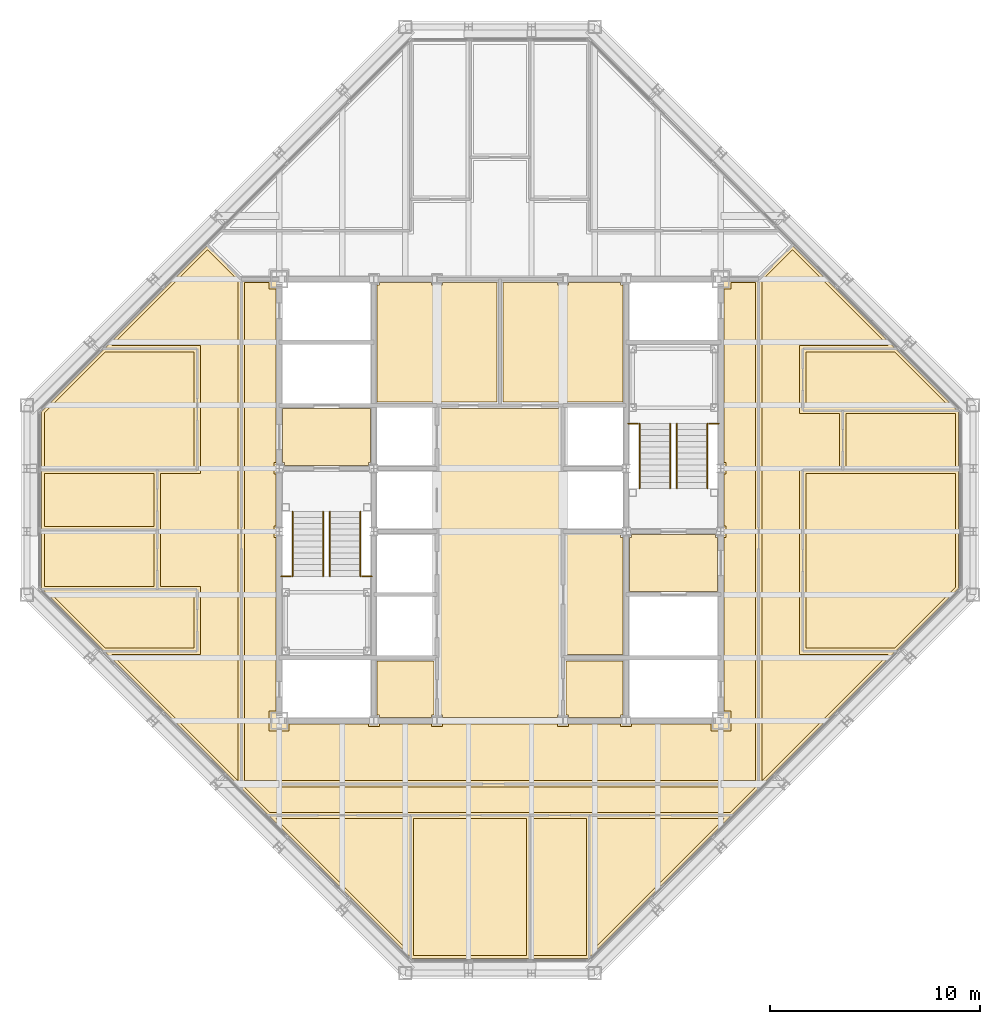
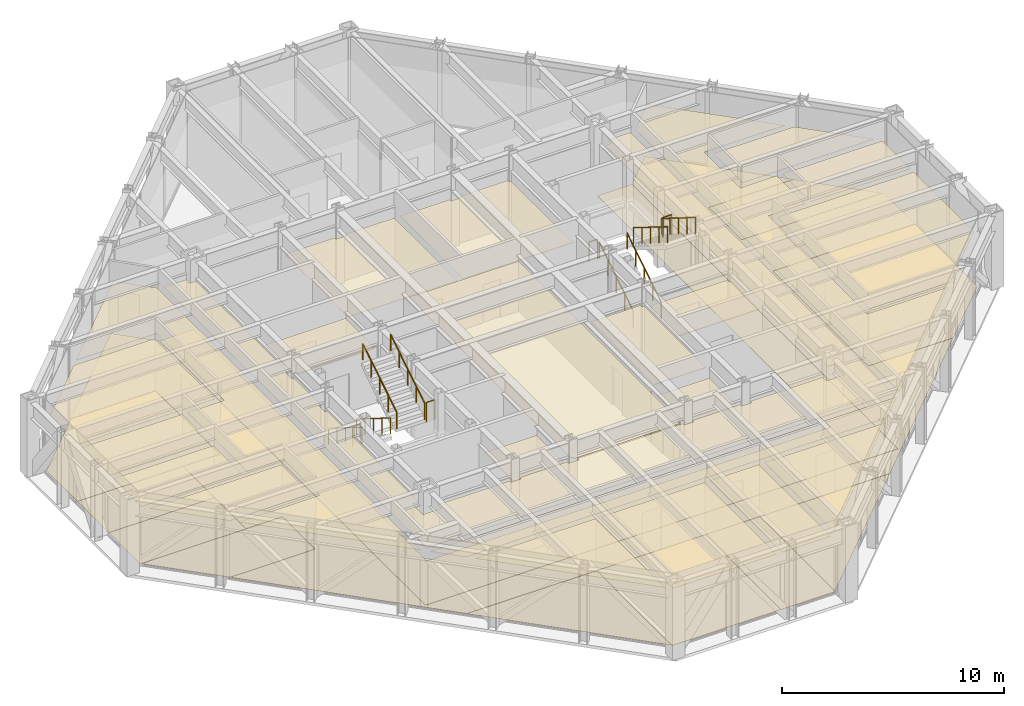
# One storey, part 14 of 15: 36 coverings, 12 railings.
"""IFC4 building model written with IfcOpenShell, lengths in metres."""

from ifc_helpers import new_model, si_unit, direction, frame, origin, origin_2d, place, context, subcontext, project, spatial, polyline, circle, outline, extrude, material, layer, layer_set, type_object, element, save


model = new_model("IFC4")

# Units and contexts
model_context = context("Model", 3, precision=1e-05, world=origin(), true_north=direction((0.0, 1.0)))
body_context = subcontext(model_context, "Body", "Model", "MODEL_VIEW")
ifc_project = project(units=[si_unit("LENGTHUNIT", "METRE"), si_unit("AREAUNIT", "SQUARE_METRE"), si_unit("VOLUMEUNIT", "CUBIC_METRE"), si_unit("PLANEANGLEUNIT", "RADIAN"), si_unit("MASSUNIT", "GRAM", prefix="KILO")], contexts=[model_context])

# Site, building, storey
site_placement = place(None, origin())
site = spatial("IfcSite", under=ifc_project, at=site_placement, CompositionType="ELEMENT")
building_placement = place(site_placement, origin())
building = spatial("IfcBuilding", under=site, at=building_placement, Name="Chuquiago Exchange Tower", CompositionType="ELEMENT")
storey_placement = place(building_placement, frame((0.0, 0.0, 287.39990234375)))
storey = spatial("IfcBuildingStorey", under=building, at=storey_placement, Name="L64", CompositionType="ELEMENT", Elevation=287.39990234375)

# Coverings
ifc_material_1 = material(Name="Mineral fibre tile, 600 x 600, on pale metal grid", Category="mineral fibre")
ifc_layer_1 = layer(ifc_material_1, 0.02001953125)
ifc_layer_set_1 = layer_set([ifc_layer_1], Name="CL1 suspended tile ceiling 20")
covering_type_1 = type_object("IfcCoveringType", Name="CL1 suspended tile ceiling 20", PredefinedType="CEILING", material=ifc_layer_set_1)
covering_1_placement = place(storey_placement, frame((0.0, 0.0, 3.0)))
element("IfcCovering", 1, at=covering_1_placement, inside=storey, type_object=covering_type_1, Name="Ceiling Training room", PredefinedType="CEILING", context=body_context, shape_type="SweptSolid", body=[
    extrude(outline(polyline([(18.098388671875, 7.35009765625), (18.098388671875, 1.103515625), (11.85205078125, 7.35009765625), (18.098388671875, 7.35009765625)])), origin(), (0.0, 0.0, 1.0), 0.02001953125),
])
covering_2_placement = place(storey_placement, frame((0.0, 0.0, 3.0)))
element("IfcCovering", 2, at=covering_2_placement, inside=storey, type_object=covering_type_1, Name="Ceiling Meeting room", PredefinedType="CEILING", context=body_context, shape_type="SweptSolid", body=[
    extrude(outline(polyline([(18.3984375, 7.35009765625), (23.76708984375, 7.35009765625), (23.76708984375, 0.85009765625), (18.3984375, 0.85009765625), (18.3984375, 7.35009765625)])), origin(), (0.0, 0.0, 1.0), 0.02001953125),
])
covering_3_placement = place(storey_placement, frame((0.0, 0.0, 3.0)))
element("IfcCovering", 3, at=covering_3_placement, inside=storey, type_object=covering_type_1, Name="Ceiling Meeting room", PredefinedType="CEILING", context=body_context, shape_type="SweptSolid", body=[
    extrude(outline(polyline([(24.067138671875, 0.85009765625), (24.067138671875, 7.35009765625), (26.6015625, 7.35009765625), (26.6015625, 0.85009765625), (24.067138671875, 0.85009765625)])), origin(), (0.0, 0.0, 1.0), 0.02001953125),
])
covering_4_placement = place(storey_placement, frame((0.0, 0.0, 3.0)))
element("IfcCovering", 4, at=covering_4_placement, inside=storey, type_object=covering_type_1, Name="Ceiling Office", PredefinedType="CEILING", context=body_context, shape_type="SweptSolid", body=[
    extrude(outline(polyline([(26.901611328125, 7.35009765625), (33.14794921875, 7.35009765625), (26.901611328125, 1.103515625), (26.901611328125, 7.35009765625)])), origin(), (0.0, 0.0, 1.0), 0.02001953125),
])
covering_5_placement = place(storey_placement, frame((0.0, 0.0, 3.0)))
element("IfcCovering", 5, at=covering_5_placement, inside=storey, type_object=covering_type_1, Name="Ceiling Meeting room", PredefinedType="CEILING", context=body_context, shape_type="SweptSolid", body=[
    extrude(outline(polyline([(41.255126953125, 15.45703125), (37.050048828125, 15.45703125), (37.050048828125, 23.76708984375), (44.14990234375, 23.76708984375), (44.14990234375, 18.35205078125), (41.255126953125, 15.45703125)])), origin(), (0.0, 0.0, 1.0), 0.02001953125),
])
covering_6_placement = place(storey_placement, frame((0.0, 0.0, 3.0)))
element("IfcCovering", 6, at=covering_6_placement, inside=storey, type_object=covering_type_1, Name="Ceiling Store", PredefinedType="CEILING", context=body_context, shape_type="SweptSolid", body=[
    extrude(outline(polyline([(44.14990234375, 24.067138671875), (38.949951171875, 24.067138671875), (38.949951171875, 26.6015625), (44.14990234375, 26.6015625), (44.14990234375, 24.067138671875)])), origin(), (0.0, 0.0, 1.0), 0.02001953125),
])
covering_7_placement = place(storey_placement, frame((0.0, 0.0, 3.0)))
element("IfcCovering", 7, at=covering_7_placement, inside=storey, type_object=covering_type_1, Name="Ceiling Office", PredefinedType="CEILING", context=body_context, shape_type="SweptSolid", body=[
    extrude(outline(polyline([(37.050048828125, 26.901611328125), (37.050048828125, 29.54296875), (41.255126953125, 29.54296875), (43.896484375, 26.901611328125), (37.050048828125, 26.901611328125)])), origin(), (0.0, 0.0, 1.0), 0.02001953125),
])
covering_8_placement = place(storey_placement, frame((0.0, 0.0, 3.0)))
element("IfcCovering", 8, at=covering_8_placement, inside=storey, type_object=covering_type_1, Name="Ceiling Office", PredefinedType="CEILING", context=body_context, shape_type="SweptSolid", body=[
    extrude(outline(polyline([(7.949951171875, 18.098388671875), (7.949951171875, 15.45703125), (3.744873046875, 15.45703125), (1.103515625, 18.098388671875), (7.949951171875, 18.098388671875)])), origin(), (0.0, 0.0, 1.0), 0.02001953125),
])
covering_9_placement = place(storey_placement, frame((0.0, 0.0, 3.0)))
element("IfcCovering", 9, at=covering_9_placement, inside=storey, type_object=covering_type_1, Name="Ceiling Focus room", PredefinedType="CEILING", context=body_context, shape_type="SweptSolid", body=[
    extrude(outline(polyline([(0.85009765625, 20.932861328125), (6.050048828125, 20.932861328125), (6.050048828125, 18.3984375), (0.85009765625, 18.3984375), (0.85009765625, 20.932861328125)])), origin(), (0.0, 0.0, 1.0), 0.02001953125),
])
covering_10_placement = place(storey_placement, frame((0.0, 0.0, 3.0)))
element("IfcCovering", 10, at=covering_10_placement, inside=storey, type_object=covering_type_1, Name="Ceiling Focus room", PredefinedType="CEILING", context=body_context, shape_type="SweptSolid", body=[
    extrude(outline(polyline([(6.050048828125, 23.76708984375), (6.050048828125, 21.23291015625), (0.85009765625, 21.23291015625), (0.85009765625, 23.76708984375), (6.050048828125, 23.76708984375)])), origin(), (0.0, 0.0, 1.0), 0.02001953125),
])
covering_11_placement = place(storey_placement, frame((0.0, 0.0, 3.0)))
element("IfcCovering", 11, at=covering_11_placement, inside=storey, type_object=covering_type_1, Name="Ceiling Office", PredefinedType="CEILING", context=body_context, shape_type="SweptSolid", body=[
    extrude(outline(polyline([(3.744873046875, 29.54296875), (7.949951171875, 29.54296875), (7.949951171875, 24.067138671875), (0.85009765625, 24.067138671875), (0.85009765625, 26.64794921875), (3.744873046875, 29.54296875)])), origin(), (0.0, 0.0, 1.0), 0.02001953125),
])
covering_12_placement = place(storey_placement, frame((0.0, 0.0, 3.0)))
element("IfcCovering", 12, at=covering_12_placement, inside=storey, type_object=covering_type_1, Name="Ceiling Executive corridor", PredefinedType="CEILING", context=body_context, shape_type="SweptSolid", body=[
    extrude(outline(polyline([(16.24169921875, 11.85009765625), (16.24169921875, 11.727783203125), (16.75830078125, 11.727783203125), (16.75830078125, 11.85009765625), (19.24169921875, 11.85009765625), (19.24169921875, 11.727783203125), (19.75830078125, 11.727783203125), (19.75830078125, 11.85009765625), (25.24169921875, 11.85009765625), (25.24169921875, 11.727783203125), (25.75830078125, 11.727783203125), (25.75830078125, 11.85009765625), (28.24169921875, 11.85009765625), (28.24169921875, 11.727783203125), (28.75830078125, 11.727783203125), (28.75830078125, 11.85009765625), (32.52490234375, 11.85009765625), (32.52490234375, 11.52490234375), (33.47509765625, 11.52490234375), (33.47509765625, 12.47509765625), (33.14990234375, 12.47509765625), (33.14990234375, 20.727783203125), (33.25830078125, 20.727783203125), (33.25830078125, 21.272216796875), (33.14990234375, 21.272216796875), (33.14990234375, 23.727783203125), (33.25830078125, 23.727783203125), (33.25830078125, 24.272216796875), (33.14990234375, 24.272216796875), (33.14990234375, 32.52490234375), (33.47509765625, 32.52490234375), (33.47509765625, 32.85009765625), (34.64990234375, 32.85009765625), (34.64990234375, 9.14990234375), (10.35009765625, 9.14990234375), (10.35009765625, 32.85009765625), (11.52490234375, 32.85009765625), (11.52490234375, 32.52490234375), (11.85009765625, 32.52490234375), (11.85009765625, 24.272216796875), (11.74169921875, 24.272216796875), (11.74169921875, 23.727783203125), (11.85009765625, 23.727783203125), (11.85009765625, 21.272216796875), (11.74169921875, 21.272216796875), (11.74169921875, 20.727783203125), (11.85009765625, 20.727783203125), (11.85009765625, 12.47509765625), (11.52490234375, 12.47509765625), (11.52490234375, 11.52490234375), (12.47509765625, 11.52490234375), (12.47509765625, 11.85009765625), (16.24169921875, 11.85009765625)])), origin(), (0.0, 0.0, 1.0), 0.02001953125),
])
covering_13_placement = place(storey_placement, frame((0.0, 0.0, 3.0)))
element("IfcCovering", 13, at=covering_13_placement, inside=storey, type_object=covering_type_1, Name="Ceiling Executive reception west", PredefinedType="CEILING", context=body_context, shape_type="SweptSolid", body=[
    extrude(outline(polyline([(4.044921875, 15.156982421875), (8.25, 15.156982421875), (8.25, 18.3984375), (6.35009765625, 18.3984375), (6.35009765625, 23.76708984375), (8.25, 23.76708984375), (8.25, 29.843017578125), (4.044921875, 29.843017578125), (8.594482421875, 34.392578125), (10.050048828125, 32.9375), (10.050048828125, 9.152099609375), (4.044921875, 15.156982421875)])), origin(), (0.0, 0.0, 1.0), 0.02001953125),
])
covering_14_placement = place(storey_placement, frame((0.0, 0.0, 3.0)))
element("IfcCovering", 14, at=covering_14_placement, inside=storey, type_object=covering_type_1, Name="Ceiling Executive reception west", PredefinedType="CEILING", context=body_context, shape_type="SweptSolid", body=[
    extrude(outline(polyline([(34.949951171875, 32.9375), (36.405517578125, 34.392578125), (40.955078125, 29.843017578125), (36.75, 29.843017578125), (36.75, 26.6015625), (38.64990234375, 26.6015625), (38.64990234375, 24.067138671875), (36.75, 24.067138671875), (36.75, 15.156982421875), (40.955078125, 15.156982421875), (34.949951171875, 9.152099609375), (34.949951171875, 32.9375)])), origin(), (0.0, 0.0, 1.0), 0.02001953125),
])
covering_15_placement = place(storey_placement, frame((0.0, 0.0, 3.0)))
element("IfcCovering", 15, at=covering_15_placement, inside=storey, type_object=covering_type_1, Name="Ceiling Executive reception west", PredefinedType="CEILING", context=body_context, shape_type="SweptSolid", body=[
    extrude(outline(polyline([(34.64794921875, 8.85009765625), (33.447998046875, 7.64990234375), (11.552001953125, 7.64990234375), (10.35205078125, 8.85009765625), (34.64794921875, 8.85009765625)])), origin(), (0.0, 0.0, 1.0), 0.02001953125),
])
covering_16_placement = place(storey_placement, frame((0.0, 0.0, 3.0)))
element("IfcCovering", 16, at=covering_16_placement, inside=storey, type_object=covering_type_1, Name="Ceiling Comms room", PredefinedType="CEILING", context=body_context, shape_type="SweptSolid", body=[
    extrude(outline(polyline([(25.64990234375, 15.14990234375), (25.64990234375, 20.85009765625), (28.24169921875, 20.85009765625), (28.24169921875, 20.727783203125), (28.35009765625, 20.727783203125), (28.35009765625, 15.14990234375), (25.64990234375, 15.14990234375)])), origin(), (0.0, 0.0, 1.0), 0.02001953125),
])
ifc_material_2 = material(Name="Moisture resistant plasterboard on metal frame", Category="gypsum")
ifc_layer_2 = layer(ifc_material_2, 0.014892578125)
ifc_layer_set_2 = layer_set([ifc_layer_2], Name="CL2 moisture resistant ceiling 15")
covering_type_2 = type_object("IfcCoveringType", Name="CL2 moisture resistant ceiling 15", PredefinedType="CEILING", material=ifc_layer_set_2)
covering_17_placement = place(storey_placement, frame((0.0, 0.0, 2.60009765625)))
element("IfcCovering", 17, at=covering_17_placement, inside=storey, type_object=covering_type_2, Name="Ceiling Male WC", PredefinedType="CEILING", context=body_context, shape_type="SweptSolid", body=[
    extrude(outline(polyline([(16.64990234375, 27.14990234375), (16.64990234375, 32.727783203125), (16.75830078125, 32.727783203125), (16.75830078125, 32.85009765625), (19.24169921875, 32.85009765625), (19.24169921875, 32.727783203125), (19.75830078125, 32.727783203125), (19.75830078125, 32.85009765625), (22.35009765625, 32.85009765625), (22.35009765625, 27.14990234375), (16.64990234375, 27.14990234375)])), origin(), (0.0, 0.0, 1.0), 0.014892578125),
])
covering_18_placement = place(storey_placement, frame((0.0, 0.0, 2.60009765625)))
element("IfcCovering", 18, at=covering_18_placement, inside=storey, type_object=covering_type_2, Name="Ceiling Female WC", PredefinedType="CEILING", context=body_context, shape_type="SweptSolid", body=[
    extrude(outline(polyline([(22.64990234375, 27.14990234375), (22.64990234375, 32.85009765625), (25.24169921875, 32.85009765625), (25.24169921875, 32.727783203125), (25.75830078125, 32.727783203125), (25.75830078125, 32.85009765625), (28.24169921875, 32.85009765625), (28.24169921875, 32.727783203125), (28.35009765625, 32.727783203125), (28.35009765625, 27.14990234375), (22.64990234375, 27.14990234375)])), origin(), (0.0, 0.0, 1.0), 0.014892578125),
])
covering_19_placement = place(storey_placement, frame((0.0, 0.0, 2.60009765625)))
element("IfcCovering", 19, at=covering_19_placement, inside=storey, type_object=covering_type_2, Name="Ceiling Accessible WC", PredefinedType="CEILING", context=body_context, shape_type="SweptSolid", body=[
    extrude(outline(polyline([(25.75830078125, 12.14990234375), (25.75830078125, 12.272216796875), (25.64990234375, 12.272216796875), (25.64990234375, 14.85009765625), (28.35009765625, 14.85009765625), (28.35009765625, 12.272216796875), (28.24169921875, 12.272216796875), (28.24169921875, 12.14990234375), (25.75830078125, 12.14990234375)])), origin(), (0.0, 0.0, 1.0), 0.014892578125),
])
covering_20_placement = place(storey_placement, frame((0.0, 0.0, 2.60009765625)))
element("IfcCovering", 20, at=covering_20_placement, inside=storey, type_object=covering_type_2, Name="Ceiling Cleaner", PredefinedType="CEILING", context=body_context, shape_type="SweptSolid", body=[
    extrude(outline(polyline([(16.75830078125, 12.14990234375), (16.75830078125, 12.272216796875), (16.64990234375, 12.272216796875), (16.64990234375, 14.85009765625), (19.35009765625, 14.85009765625), (19.35009765625, 12.272216796875), (19.24169921875, 12.272216796875), (19.24169921875, 12.14990234375), (16.75830078125, 12.14990234375)])), origin(), (0.0, 0.0, 1.0), 0.014892578125),
])
ifc_material_3 = material(Name="Pale metal plank ceiling, perforated", Category="aluminium")
ifc_layer_3 = layer(ifc_material_3, 0.030029296875)
ifc_layer_set_3 = layer_set([ifc_layer_3], Name="CL3 metal plank ceiling 30")
covering_type_3 = type_object("IfcCoveringType", Name="CL3 metal plank ceiling 30", PredefinedType="CEILING", material=ifc_layer_set_3)
covering_21_placement = place(storey_placement, frame((0.0, 0.0, 2.800048828125)))
element("IfcCovering", 21, at=covering_21_placement, inside=storey, type_object=covering_type_3, Name="Ceiling Lift lobby", PredefinedType="CEILING", context=body_context, shape_type="SweptSolid", body=[
    extrude(outline(polyline([(19.75830078125, 12.14990234375), (19.75830078125, 12.272216796875), (19.64990234375, 12.272216796875), (19.64990234375, 26.85009765625), (25.35009765625, 26.85009765625), (25.35009765625, 12.272216796875), (25.24169921875, 12.272216796875), (25.24169921875, 12.14990234375), (19.75830078125, 12.14990234375)])), origin(), (0.0, 0.0, 1.0), 0.030029296875),
])
covering_22_placement = place(storey_placement, frame((0.0, 0.0, 2.800048828125)))
element("IfcCovering", 22, at=covering_22_placement, inside=storey, type_object=covering_type_3, Name="Ceiling Firefighting lobby", PredefinedType="CEILING", context=body_context, shape_type="SweptSolid", body=[
    extrude(outline(polyline([(12.25830078125, 24.14990234375), (12.25830078125, 24.272216796875), (12.14990234375, 24.272216796875), (12.14990234375, 26.85009765625), (16.35009765625, 26.85009765625), (16.35009765625, 24.272216796875), (16.24169921875, 24.272216796875), (16.24169921875, 24.14990234375), (12.25830078125, 24.14990234375)])), origin(), (0.0, 0.0, 1.0), 0.030029296875),
])
covering_23_placement = place(storey_placement, frame((0.0, 0.0, 2.800048828125)))
element("IfcCovering", 23, at=covering_23_placement, inside=storey, type_object=covering_type_3, Name="Ceiling Firefighting lobby", PredefinedType="CEILING", context=body_context, shape_type="SweptSolid", body=[
    extrude(outline(polyline([(28.64990234375, 18.14990234375), (28.64990234375, 20.727783203125), (28.75830078125, 20.727783203125), (28.75830078125, 20.85009765625), (32.74169921875, 20.85009765625), (32.74169921875, 20.727783203125), (32.85009765625, 20.727783203125), (32.85009765625, 18.14990234375), (28.64990234375, 18.14990234375)])), origin(), (0.0, 0.0, 1.0), 0.030029296875),
])
ifc_material_4 = material(Name="Carpet tile, 500 x 500, on the floor slab", Category="textile")
ifc_layer_4 = layer(ifc_material_4, 0.010009765625)
ifc_layer_set_4 = layer_set([ifc_layer_4], Name="FL1 carpet tile 10")
covering_type_4 = type_object("IfcCoveringType", Name="FL1 carpet tile 10", PredefinedType="FLOORING", material=ifc_layer_set_4)
covering_24_placement = place(storey_placement, origin())
element("IfcCovering", 24, at=covering_24_placement, inside=storey, type_object=covering_type_4, Name="Floor finish Training room", PredefinedType="FLOORING", context=body_context, shape_type="SweptSolid", body=[
    extrude(outline(polyline([(11.489990234375, 7.5), (18.24853515625, 7.5), (18.24853515625, 0.741455078125), (11.489990234375, 7.5)])), origin(), (0.0, 0.0, 1.0), 0.010009765625),
])
covering_25_placement = place(storey_placement, origin())
element("IfcCovering", 25, at=covering_25_placement, inside=storey, type_object=covering_type_4, Name="Floor finish Meeting room", PredefinedType="FLOORING", context=body_context, shape_type="SweptSolid", body=[
    extrude(outline(polyline([(18.289794921875, 0.699951171875), (18.24853515625, 0.741455078125), (18.24853515625, 7.5), (23.917236328125, 7.5), (23.917236328125, 0.699951171875), (18.289794921875, 0.699951171875)])), origin(), (0.0, 0.0, 1.0), 0.010009765625),
])
covering_26_placement = place(storey_placement, origin())
element("IfcCovering", 26, at=covering_26_placement, inside=storey, type_object=covering_type_4, Name="Floor finish Meeting room", PredefinedType="FLOORING", context=body_context, shape_type="SweptSolid", body=[
    extrude(outline(polyline([(26.710205078125, 0.699951171875), (23.917236328125, 0.699951171875), (23.917236328125, 7.5), (26.75146484375, 7.5), (26.75146484375, 0.741455078125), (26.710205078125, 0.699951171875)])), origin(), (0.0, 0.0, 1.0), 0.010009765625),
])
covering_27_placement = place(storey_placement, origin())
element("IfcCovering", 27, at=covering_27_placement, inside=storey, type_object=covering_type_4, Name="Floor finish Office", PredefinedType="FLOORING", context=body_context, shape_type="SweptSolid", body=[
    extrude(outline(polyline([(26.75146484375, 0.741455078125), (26.75146484375, 7.5), (33.510009765625, 7.5), (26.75146484375, 0.741455078125)])), origin(), (0.0, 0.0, 1.0), 0.010009765625),
])
covering_28_placement = place(storey_placement, origin())
element("IfcCovering", 28, at=covering_28_placement, inside=storey, type_object=covering_type_4, Name="Floor finish Meeting room", PredefinedType="FLOORING", context=body_context, shape_type="SweptSolid", body=[
    extrude(outline(polyline([(44.300048828125, 18.289794921875), (41.317138671875, 15.30712890625), (36.89990234375, 15.30712890625), (36.89990234375, 23.917236328125), (44.300048828125, 23.917236328125), (44.300048828125, 18.289794921875)])), origin(), (0.0, 0.0, 1.0), 0.010009765625),
])
covering_29_placement = place(storey_placement, origin())
element("IfcCovering", 29, at=covering_29_placement, inside=storey, type_object=covering_type_4, Name="Floor finish Office", PredefinedType="FLOORING", context=body_context, shape_type="SweptSolid", body=[
    extrude(outline(polyline([(44.258544921875, 26.75146484375), (36.89990234375, 26.75146484375), (36.89990234375, 29.69287109375), (41.317138671875, 29.69287109375), (44.258544921875, 26.75146484375)])), origin(), (0.0, 0.0, 1.0), 0.010009765625),
])
covering_30_placement = place(storey_placement, origin())
element("IfcCovering", 30, at=covering_30_placement, inside=storey, type_object=covering_type_4, Name="Floor finish Office", PredefinedType="FLOORING", context=body_context, shape_type="SweptSolid", body=[
    extrude(outline(polyline([(0.741455078125, 18.24853515625), (8.10009765625, 18.24853515625), (8.10009765625, 15.30712890625), (3.682861328125, 15.30712890625), (0.741455078125, 18.24853515625)])), origin(), (0.0, 0.0, 1.0), 0.010009765625),
])
covering_31_placement = place(storey_placement, origin())
element("IfcCovering", 31, at=covering_31_placement, inside=storey, type_object=covering_type_4, Name="Floor finish Focus room", PredefinedType="FLOORING", context=body_context, shape_type="SweptSolid", body=[
    extrude(outline(polyline([(0.699951171875, 21.082763671875), (6.199951171875, 21.082763671875), (6.199951171875, 18.24853515625), (0.741455078125, 18.24853515625), (0.699951171875, 18.289794921875), (0.699951171875, 21.082763671875)])), origin(), (0.0, 0.0, 1.0), 0.010009765625),
])
covering_32_placement = place(storey_placement, origin())
element("IfcCovering", 32, at=covering_32_placement, inside=storey, type_object=covering_type_4, Name="Floor finish Focus room", PredefinedType="FLOORING", context=body_context, shape_type="SweptSolid", body=[
    extrude(outline(polyline([(0.699951171875, 23.917236328125), (6.199951171875, 23.917236328125), (6.199951171875, 21.082763671875), (0.699951171875, 21.082763671875), (0.699951171875, 23.917236328125)])), origin(), (0.0, 0.0, 1.0), 0.010009765625),
])
covering_33_placement = place(storey_placement, origin())
element("IfcCovering", 33, at=covering_33_placement, inside=storey, type_object=covering_type_4, Name="Floor finish Office", PredefinedType="FLOORING", context=body_context, shape_type="SweptSolid", body=[
    extrude(outline(polyline([(0.699951171875, 26.710205078125), (3.682861328125, 29.69287109375), (8.10009765625, 29.69287109375), (8.10009765625, 23.917236328125), (0.699951171875, 23.917236328125), (0.699951171875, 26.710205078125)])), origin(), (0.0, 0.0, 1.0), 0.010009765625),
])
ifc_material_5 = material(Name="Porcelain floor tile, 600 x 600, on adhesive bed", Category="ceramic")
ifc_layer_5 = layer(ifc_material_5, 0.014892578125)
ifc_layer_set_5 = layer_set([ifc_layer_5], Name="FL2 porcelain tile 15")
covering_type_5 = type_object("IfcCoveringType", Name="FL2 porcelain tile 15", PredefinedType="FLOORING", material=ifc_layer_set_5)
covering_34_placement = place(storey_placement, origin())
element("IfcCovering", 34, at=covering_34_placement, inside=storey, type_object=covering_type_5, Name="Floor finish Store", PredefinedType="FLOORING", context=body_context, shape_type="SweptSolid", body=[
    extrude(outline(polyline([(44.300048828125, 26.710205078125), (44.300048828125, 23.917236328125), (38.800048828125, 23.917236328125), (38.800048828125, 26.75146484375), (44.258544921875, 26.75146484375), (44.300048828125, 26.710205078125)])), origin(), (0.0, 0.0, 1.0), 0.01513671875),
])
covering_35_placement = place(storey_placement, origin())
element("IfcCovering", 35, at=covering_35_placement, inside=storey, type_object=covering_type_5, Name="Floor finish Executive corridor", PredefinedType="FLOORING", context=body_context, shape_type="SweptSolid", body=[
    extrude(outline(polyline([(12.0, 12.0), (33.0, 12.0), (33.0, 33.0), (34.800048828125, 33.0), (34.800048828125, 9.0), (10.199951171875, 9.0), (10.199951171875, 33.0), (12.0, 33.0), (12.0, 12.0)])), origin(), (0.0, 0.0, 1.0), 0.01513671875),
])
covering_36_placement = place(storey_placement, origin())
element("IfcCovering", 36, at=covering_36_placement, inside=storey, type_object=covering_type_5, Name="Floor finish Executive reception west", PredefinedType="FLOORING", context=body_context, shape_type="SweptSolid", body=[
    extrude(outline(polyline([(41.317138671875, 29.69287109375), (36.89990234375, 29.69287109375), (36.89990234375, 26.75146484375), (38.800048828125, 26.75146484375), (38.800048828125, 23.917236328125), (36.89990234375, 23.917236328125), (36.89990234375, 15.30712890625), (41.317138671875, 15.30712890625), (33.510009765625, 7.5), (11.489990234375, 7.5), (3.682861328125, 15.30712890625), (8.10009765625, 15.30712890625), (8.10009765625, 18.24853515625), (6.199951171875, 18.24853515625), (6.199951171875, 23.917236328125), (8.10009765625, 23.917236328125), (8.10009765625, 29.69287109375), (3.682861328125, 29.69287109375), (8.594482421875, 34.604736328125), (10.199951171875, 32.99951171875), (10.199951171875, 9.0), (34.800048828125, 9.0), (34.800048828125, 32.99951171875), (36.405517578125, 34.604736328125), (41.317138671875, 29.69287109375)])), origin(), (0.0, 0.0, 1.0), 0.01513671875),
])

# Railings
ifc_material_6 = material(Name="Pale metal guard with safety glass infill", Category="glass")
railing_type_1 = type_object("IfcRailingType", Name="GR1 guard 1100", PredefinedType="GUARDRAIL", material=ifc_material_6)
for number, where, name in (
    (37, (12.10009765625, 18.8701171875, 2.10009765625), "Guard ST1 L64 landing 2"),
    (38, (15.945068359375, 18.8701171875, 2.10009765625), "Guard ST1 L64 landing 2"),
    (39, (28.60009765625, 26.1298828125, 2.10009765625), "Guard ST2 L64 landing 2"),
    (40, (32.445068359375, 26.1298828125, 2.10009765625), "Guard ST2 L64 landing 2"),
):
    element("IfcRailing", number, at=place(storey_placement, frame(where)), inside=storey, type_object=railing_type_1, Name=name, PredefinedType="GUARDRAIL", context=body_context, shape_type="SweptSolid", body=[
        extrude(circle(Radius=0.02392578125, at=origin_2d()), frame((0.0, 0.0, 1.076171875), z_axis=(1.0, 0.0, 0.0), x_axis=(0.0, 1.0, 0.0)), (0.0, 0.0, 1.0), 0.454833984375),
        extrude(circle(Radius=0.02099609375, at=origin_2d()), origin(), (0.0, 0.0, 1.0), 1.052001953125),
        extrude(circle(Radius=0.02099609375, at=origin_2d()), frame((0.454833984375, 0.0, 0.0)), (0.0, 0.0, 1.0), 1.052001953125),
    ])
ifc_material_7 = material(Name="Pale metal handrail", Category="steel")
railing_type_2 = type_object("IfcRailingType", Name="HR1 handrail 900", PredefinedType="HANDRAIL", material=ifc_material_7)
for number, where, name in (
    (41, (12.635009765625, 21.949951171875, 0.175048828125), "Handrail ST1 L64 flight 1"),
    (42, (14.0849609375, 21.949951171875, 0.175048828125), "Handrail ST1 L64 flight 1"),
):
    element("IfcRailing", number, at=place(storey_placement, frame(where)), inside=storey, type_object=railing_type_2, Name=name, PredefinedType="HANDRAIL", context=body_context, shape_type="SweptSolid", body=[
        extrude(circle(Radius=0.02392578125, at=origin_2d()), frame((0.0, 0.0, 0.8759765625), z_axis=(0.0, -0.847979421464, 0.530029150871), x_axis=(1.0, 0.0, 0.0)), (0.0, 0.0, 1.0), 3.632080078125),
        extrude(circle(Radius=0.02099609375, at=origin_2d()), origin(), (0.0, 0.0, 1.0), 0.851806640625),
        extrude(circle(Radius=0.02099609375, at=origin_2d()), frame((0.0, -0.77001953125, 0.481201171875)), (0.0, 0.0, 1.0), 0.851806640625),
        extrude(circle(Radius=0.02099609375, at=origin_2d()), frame((0.0, -1.5400390625, 0.96240234375)), (0.0, 0.0, 1.0), 0.851806640625),
        extrude(circle(Radius=0.02099609375, at=origin_2d()), frame((0.0, -2.309814453125, 1.44384765625)), (0.0, 0.0, 1.0), 0.851806640625),
        extrude(circle(Radius=0.02099609375, at=origin_2d()), frame((0.0, -3.079833984375, 1.925048828125)), (0.0, 0.0, 1.0), 0.851806640625),
    ])
for number, where, name in (
    (43, (15.864990234375, 18.8701171875, 2.275146484375), "Handrail ST1 L64 flight 2"),
    (44, (14.4150390625, 18.8701171875, 2.275146484375), "Handrail ST1 L64 flight 2"),
    (45, (30.5849609375, 23.050048828125, 0.175048828125), "Handrail ST2 L64 flight 1"),
    (46, (29.135009765625, 23.050048828125, 0.175048828125), "Handrail ST2 L64 flight 1"),
):
    element("IfcRailing", number, at=place(storey_placement, frame(where)), inside=storey, type_object=railing_type_2, Name=name, PredefinedType="HANDRAIL", context=body_context, shape_type="SweptSolid", body=[
        extrude(circle(Radius=0.02392578125, at=origin_2d()), frame((0.0, 0.0, 0.8759765625), z_axis=(0.0, 0.847979421464, 0.530029150871), x_axis=(-1.0, 0.0, 0.0)), (0.0, 0.0, 1.0), 3.632080078125),
        extrude(circle(Radius=0.02099609375, at=origin_2d()), origin(), (0.0, 0.0, 1.0), 0.851806640625),
        extrude(circle(Radius=0.02099609375, at=origin_2d()), frame((0.0, 0.77001953125, 0.481201171875)), (0.0, 0.0, 1.0), 0.851806640625),
        extrude(circle(Radius=0.02099609375, at=origin_2d()), frame((0.0, 1.5400390625, 0.96240234375)), (0.0, 0.0, 1.0), 0.851806640625),
        extrude(circle(Radius=0.02099609375, at=origin_2d()), frame((0.0, 2.309814453125, 1.44384765625)), (0.0, 0.0, 1.0), 0.851806640625),
        extrude(circle(Radius=0.02099609375, at=origin_2d()), frame((0.0, 3.079833984375, 1.925048828125)), (0.0, 0.0, 1.0), 0.851806640625),
    ])
for number, where, name in (
    (47, (30.9150390625, 26.1298828125, 2.275146484375), "Handrail ST2 L64 flight 2"),
    (48, (32.364990234375, 26.1298828125, 2.275146484375), "Handrail ST2 L64 flight 2"),
):
    element("IfcRailing", number, at=place(storey_placement, frame(where)), inside=storey, type_object=railing_type_2, Name=name, PredefinedType="HANDRAIL", context=body_context, shape_type="SweptSolid", body=[
        extrude(circle(Radius=0.02392578125, at=origin_2d()), frame((0.0, 0.0, 0.8759765625), z_axis=(0.0, -0.847979421464, 0.530029150871), x_axis=(1.0, 0.0, 0.0)), (0.0, 0.0, 1.0), 3.632080078125),
        extrude(circle(Radius=0.02099609375, at=origin_2d()), origin(), (0.0, 0.0, 1.0), 0.851806640625),
        extrude(circle(Radius=0.02099609375, at=origin_2d()), frame((0.0, -0.77001953125, 0.481201171875)), (0.0, 0.0, 1.0), 0.851806640625),
        extrude(circle(Radius=0.02099609375, at=origin_2d()), frame((0.0, -1.5400390625, 0.96240234375)), (0.0, 0.0, 1.0), 0.851806640625),
        extrude(circle(Radius=0.02099609375, at=origin_2d()), frame((0.0, -2.309814453125, 1.44384765625)), (0.0, 0.0, 1.0), 0.851806640625),
        extrude(circle(Radius=0.02099609375, at=origin_2d()), frame((0.0, -3.079833984375, 1.925048828125)), (0.0, 0.0, 1.0), 0.851806640625),
    ])

save(model, "model.ifc")
